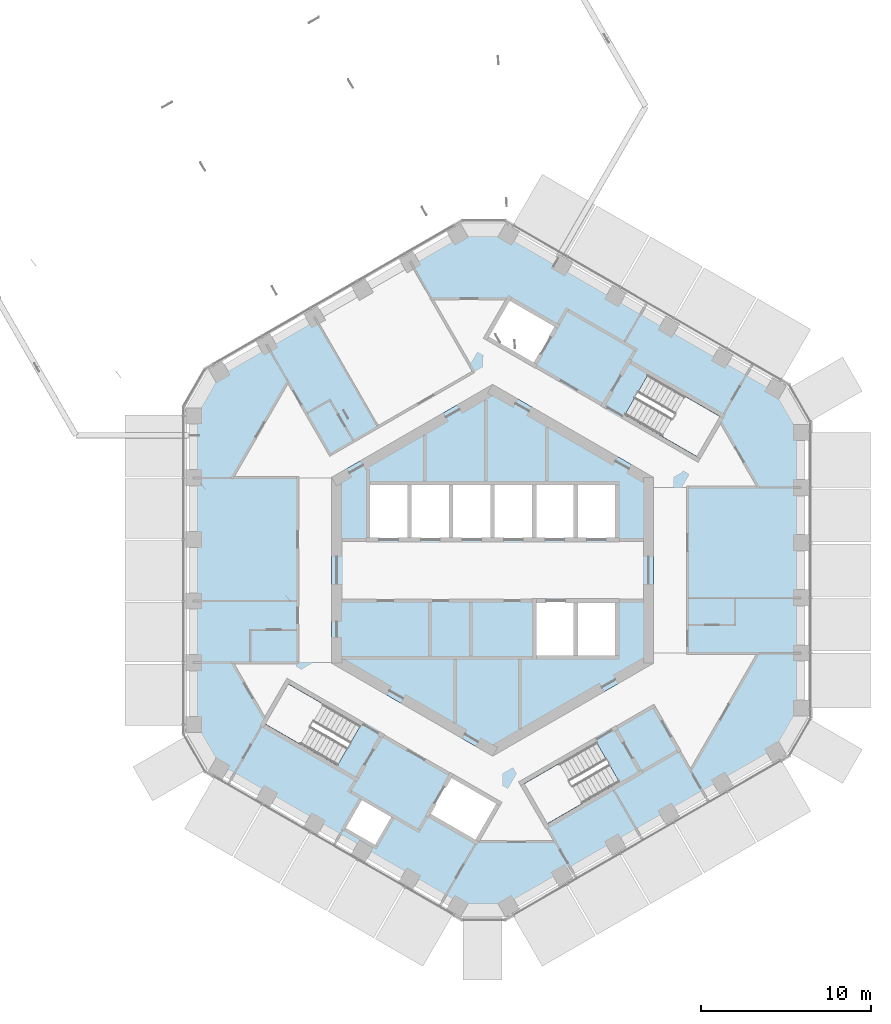
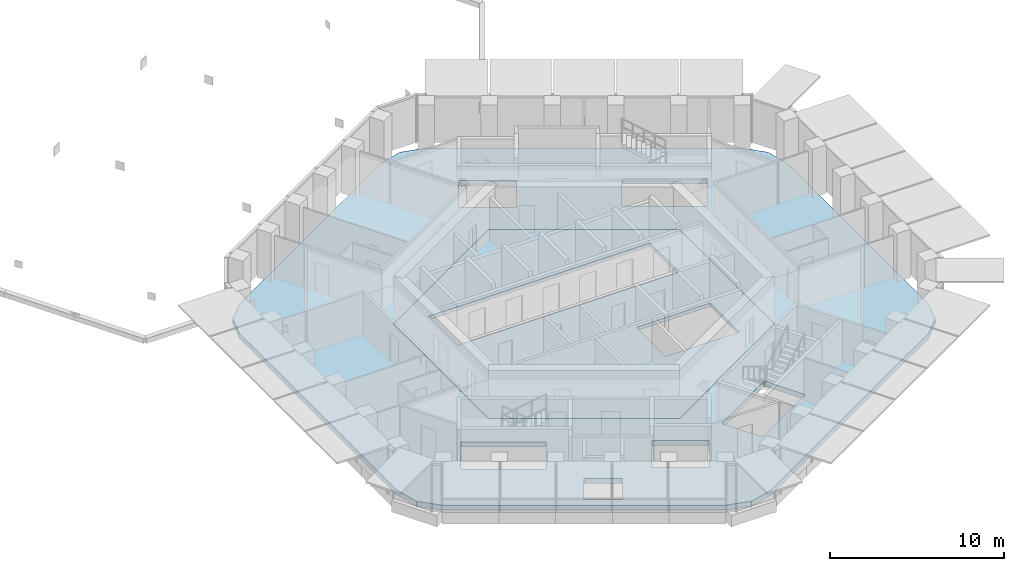
# One storey, part 9 of 21: 2 slabs.
"""IFC4 building model written with IfcOpenShell, lengths in metres."""

from ifc_helpers import new_model, si_unit, direction, frame, origin, place, context, subcontext, project, spatial, polyline, outline, extrude, material, layer, layer_set, type_object, element, save


model = new_model("IFC4")

# Units and contexts
model_context = context("Model", 3, precision=1e-05, world=origin(), true_north=direction((0.0, 1.0)))
body_context = subcontext(model_context, "Body", "Model", "MODEL_VIEW")
ifc_project = project(units=[si_unit("LENGTHUNIT", "METRE"), si_unit("AREAUNIT", "SQUARE_METRE"), si_unit("VOLUMEUNIT", "CUBIC_METRE"), si_unit("PLANEANGLEUNIT", "RADIAN"), si_unit("MASSUNIT", "GRAM", prefix="KILO")], contexts=[model_context])

# Site, building, storey
site_placement = place(None, origin())
site = spatial("IfcSite", under=ifc_project, at=site_placement, CompositionType="ELEMENT")
building_placement = place(site_placement, origin())
building = spatial("IfcBuilding", under=site, at=building_placement, Name="Ayvan Gate Tower", CompositionType="ELEMENT")
storey_placement = place(building_placement, frame((0.0, 0.0, 183.300048828125)))
storey = spatial("IfcBuildingStorey", under=building, at=storey_placement, Name="L49", CompositionType="ELEMENT", Elevation=183.300048828125)

# Slabs
ifc_material = material(Name="Concrete C40/50", Category="concrete")
ifc_layer_1 = layer(ifc_material, 0.35009765625)
ifc_layer_set_1 = layer_set([ifc_layer_1], Name="Concrete C40/50")
slab_type_1 = type_object("IfcSlabType", Name="Post-tensioned flat slab 350", PredefinedType="FLOOR", material=ifc_layer_set_1)
slab_1_placement = place(storey_placement, frame((0.0, 0.0, -0.35009765625)))
element("IfcSlab", 1, at=slab_1_placement, inside=storey, type_object=slab_type_1, Name="SL-L49", PredefinedType="FLOOR", context=body_context, shape_type="SweptSolid", body=[
    extrude(outline(polyline([(-0.5341796875, -20.2275390625), (-2.0341796875, -19.82568359375), (-16.15234375, -11.67431640625), (-17.25048828125, -10.576416015625), (-17.65234375, -9.076416015625), (-17.65234375, 9.076416015625), (-17.25048828125, 10.576416015625), (-16.15234375, 11.67431640625), (-2.0341796875, 19.82568359375), (-0.5341796875, 20.2275390625), (0.9658203125, 19.82568359375), (16.6865234375, 10.749267578125), (17.78466796875, 9.651123046875), (18.1865234375, 8.151123046875), (18.1865234375, -8.151123046875), (17.78466796875, -9.651123046875), (16.6865234375, -10.749267578125), (0.9658203125, -19.82568359375), (-0.5341796875, -20.2275390625)]), holes=[polyline([(13.404541015625, 9.0673828125), (9.1611328125, 11.517578125), (7.80615234375, 9.170654296875), (12.049560546875, 6.720458984375), (13.404541015625, 9.0673828125)]), polyline([(0.0, 10.9697265625), (-9.5, 5.48486328125), (-9.5, -5.48486328125), (0.0, -10.9697265625), (9.5, -5.48486328125), (9.5, 5.48486328125), (0.0, 10.9697265625)]), polyline([(3.228759765625, -14.9423828125), (7.472412109375, -12.492431640625), (6.117431640625, -10.1455078125), (1.873779296875, -12.595458984375), (3.228759765625, -14.9423828125)]), polyline([(0.964599609375, 16.07080078125), (-0.385498046875, 13.732421875), (2.472412109375, 12.08251953125), (3.822509765625, 14.420654296875), (0.964599609375, 16.07080078125)]), polyline([(0.385498046875, -13.732421875), (-2.472412109375, -12.08251953125), (-3.822509765625, -14.420654296875), (-0.964599609375, -16.07080078125), (-0.939697265625, -16.027587890625), (0.385498046875, -13.732421875)]), polyline([(-6.894775390625, -16.342041015625), (-5.8447265625, -14.5234375), (-7.75, -13.42333984375), (-8.800048828125, -15.241943359375), (-6.894775390625, -16.342041015625)]), polyline([(-7.80615234375, -9.170654296875), (-12.049560546875, -6.720458984375), (-13.404541015625, -9.0673828125), (-9.1611328125, -11.517578125), (-7.80615234375, -9.170654296875)])]), origin(), (0.0, 0.0, 1.0), 0.35009765625),
])
ifc_layer_2 = layer(ifc_material, 0.25)
ifc_layer_set_2 = layer_set([ifc_layer_2], Name="Concrete C40/50")
slab_type_2 = type_object("IfcSlabType", Name="SL-CORE-250", PredefinedType="FLOOR", material=ifc_layer_set_2)
slab_2_placement = place(storey_placement, frame((0.0, 0.0, -0.25)))
element("IfcSlab", 2, at=slab_2_placement, inside=storey, type_object=slab_type_2, Name="CS-L49", PredefinedType="FLOOR", context=body_context, shape_type="SweptSolid", body=[
    extrude(outline(polyline([(9.5, -5.48486328125), (0.0, -10.9697265625), (-9.5, -5.48486328125), (-9.5, 5.48486328125), (0.0, 10.9697265625), (9.5, 5.48486328125), (9.5, -5.48486328125)]), holes=[polyline([(-7.35009765625, 5.14990234375), (-7.35009765625, 1.800048828125), (7.35009765625, 1.800048828125), (7.35009765625, 5.14990234375), (-7.35009765625, 5.14990234375)]), polyline([(2.449951171875, -1.800048828125), (2.449951171875, -5.14990234375), (7.35009765625, -5.14990234375), (7.35009765625, -1.800048828125), (2.449951171875, -1.800048828125)])]), origin(), (0.0, 0.0, 1.0), 0.25),
])

save(model, "model.ifc")
